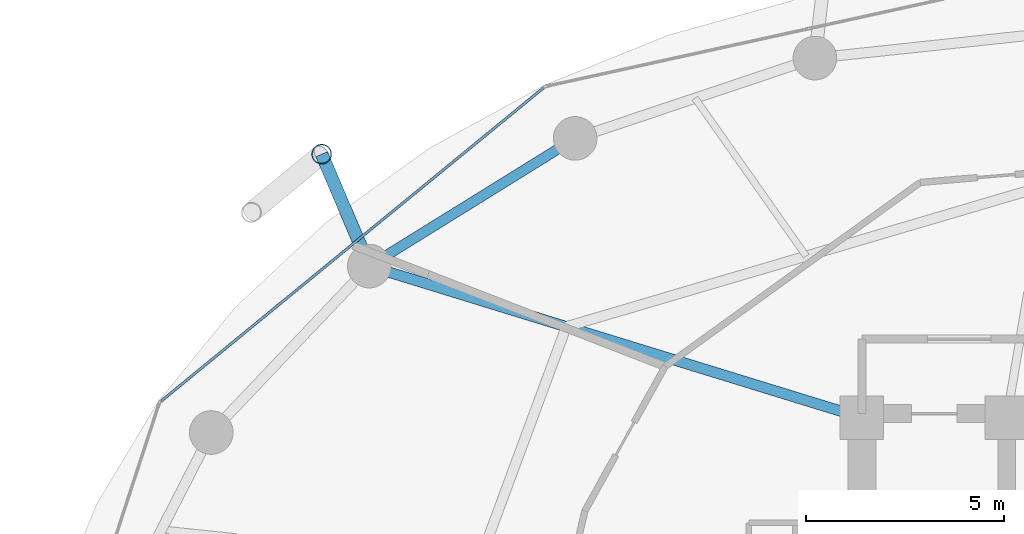
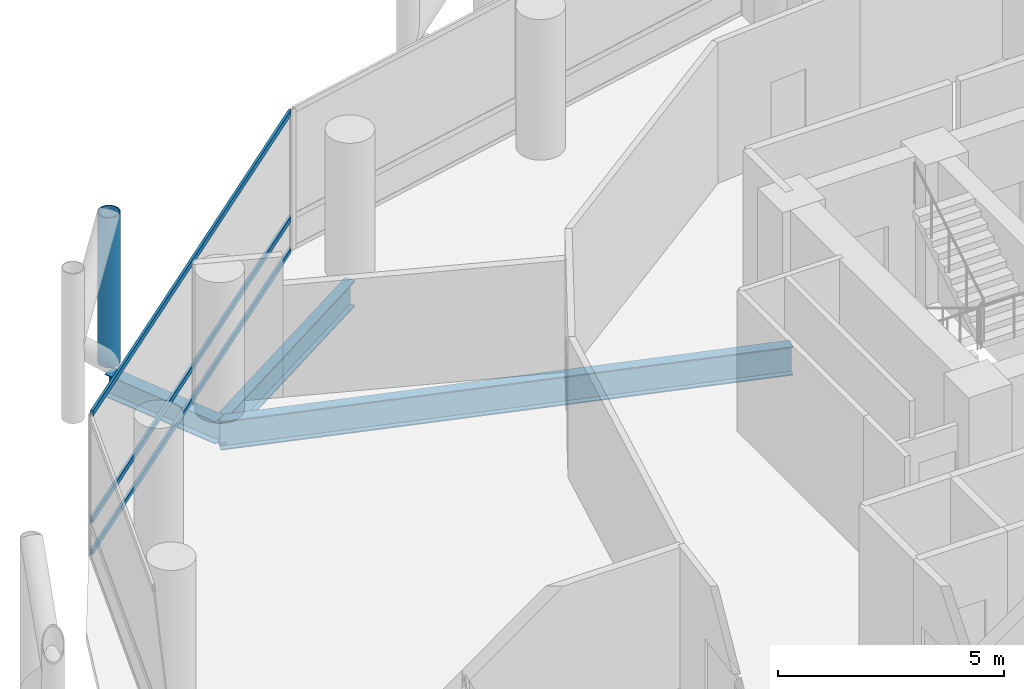
# One storey, part 14 of 24: 4 members, 3 beams, 1 element without a shape of its own.
"""IFC4 building model written with IfcOpenShell, lengths in metres."""

from ifc_helpers import new_model, si_unit, direction, frame, origin, origin_2d, place, context, subcontext, project, spatial, hollow_rectangle, hollow_circle, i_section, extrude, material, layer, layer_set, material_profile, profile_set, type_object, element, aggregate, save


model = new_model("IFC4")

# Units and contexts
model_context = context("Model", 3, precision=1e-05, world=origin(), true_north=direction((0.0, 1.0)))
body_context = subcontext(model_context, "Body", "Model", "MODEL_VIEW")
ifc_project = project(units=[si_unit("LENGTHUNIT", "METRE"), si_unit("AREAUNIT", "SQUARE_METRE"), si_unit("VOLUMEUNIT", "CUBIC_METRE"), si_unit("PLANEANGLEUNIT", "RADIAN"), si_unit("MASSUNIT", "GRAM", prefix="KILO")], contexts=[model_context])

# Site, building, storey
site_placement = place(None, origin())
site = spatial("IfcSite", under=ifc_project, at=site_placement, CompositionType="ELEMENT")
building_placement = place(site_placement, origin())
building = spatial("IfcBuilding", under=site, at=building_placement, Name="Nuhasar Tower", CompositionType="ELEMENT")
storey_placement = place(building_placement, frame((0.0, 0.0, 77.699951171875)))
storey = spatial("IfcBuildingStorey", under=building, at=storey_placement, Name="L18", CompositionType="ELEMENT", Elevation=77.699951171875)

# Beams
ifc_material_1 = material(Name="Steel S355", Category="steel")
ifc_material_profile_1 = material_profile(ifc_material_1, i_section(OverallWidth=0.26611328125, OverallDepth=0.779052734375, WebThickness=0.0166015625, FlangeThickness=0.030029296875, at=origin_2d()), Name="W30X148")
ifc_profile_set_1 = profile_set([ifc_material_profile_1], Name="Steel S355")
beam_type_1 = type_object("IfcBeamType", Name="BM-RAD-W30X148", PredefinedType="BEAM", material=ifc_profile_set_1)
beam_1_placement = place(storey_placement, frame((33.699951171875, 37.300048828125, -0.638916015625), z_axis=(-0.955789576103, 0.294051502653, 0.0), x_axis=(-0.294051502653, -0.955789576103, 0.0)))
element("IfcBeam", 1, at=beam_1_placement, inside=storey, type_object=beam_type_1, Name="L18 Radial Floor Girder 07", PredefinedType="BEAM", context=body_context, shape_type="SweptSolid", body=[
    extrude(i_section(OverallWidth=0.26611328125, OverallDepth=0.779052734375, WebThickness=0.0166015625, FlangeThickness=0.030029296875, at=origin_2d()), origin(), (0.0, 0.0, 1.0), 12.987060546875),
])
ifc_material_profile_2 = material_profile(ifc_material_1, i_section(OverallWidth=0.256103515625, OverallDepth=0.693115234375, WebThickness=0.014404296875, FlangeThickness=0.023681640625, at=origin_2d()), Name="W27X114")
ifc_profile_set_2 = profile_set([ifc_material_profile_2], Name="Steel S355")
beam_type_2 = type_object("IfcBeamType", Name="BM-RING-W27X114", PredefinedType="SPANDREL", material=ifc_profile_set_2)
beam_2_placement = place(storey_placement, frame((26.47509765625, 44.3369140625, -0.596923828125), z_axis=(-0.849795216549, -0.527112976439, 0.0), x_axis=(0.527112976439, -0.849795216549, 0.0)))
element("IfcBeam", 2, at=beam_2_placement, inside=storey, type_object=beam_type_2, Name="L18 Perimeter Ring Spandrel 09", PredefinedType="SPANDREL", context=body_context, shape_type="SweptSolid", body=[
    extrude(i_section(OverallWidth=0.256103515625, OverallDepth=0.693115234375, WebThickness=0.014404296875, FlangeThickness=0.023681640625, at=origin_2d()), origin(), (0.0, 0.0, 1.0), 6.10498046875),
])
ifc_material_profile_3 = material_profile(ifc_material_1, i_section(OverallWidth=0.323974609375, OverallDepth=0.611083984375, WebThickness=0.0126953125, FlangeThickness=0.01904296875, at=origin_2d()), Name="W24X104")
ifc_profile_set_3 = profile_set([ifc_material_profile_3], Name="Steel S355")
beam_type_3 = type_object("IfcBeamType", Name="BM-TIE-W24X104", PredefinedType="BEAM", material=ifc_profile_set_3)
beam_3_placement = place(storey_placement, frame((21.287109375, 41.118896484375, -0.554931640625), z_axis=(-0.391601084021, 0.920135093882, 0.0), x_axis=(-0.920135093882, -0.391601084021, 0.0)))
element("IfcBeam", 3, at=beam_3_placement, inside=storey, type_object=beam_type_3, Name="L18 Exoskeleton Node Tie Beam 05", PredefinedType="BEAM", context=body_context, shape_type="SweptSolid", body=[
    extrude(i_section(OverallWidth=0.323974609375, OverallDepth=0.611083984375, WebThickness=0.0126953125, FlangeThickness=0.01904296875, at=origin_2d()), origin(), (0.0, 0.0, 1.0), 3.06494140625),
])

# Curtain wall, members
ifc_material_2 = material(Name="Aluminium 6063-T6", Category="aluminium")
ifc_layer = layer(ifc_material_2, 0.199951171875)
ifc_layer_set = layer_set([ifc_layer], Name="Aluminium 6063-T6")
curtain_wall_type = type_object("IfcCurtainWallType", Name="CW-Z1-OFF", PredefinedType="NOTDEFINED", material=ifc_layer_set)
curtain_wall_placement = place(storey_placement, origin())
curtain_wall = element("IfcCurtainWall", 4, at=curtain_wall_placement, inside=storey, type_object=curtain_wall_type, Name="L18 Unitised Curtain Wall 05", PredefinedType="NOTDEFINED")
ifc_material_profile_4 = material_profile(ifc_material_2, hollow_rectangle(XDim=0.06494140625, YDim=0.14990234375, WallThickness=0.00439453125, at=origin_2d()), Name="CWT-2")
ifc_profile_set_4 = profile_set([ifc_material_profile_4], Name="Aluminium 6063-T6")
member_type_1 = type_object("IfcMemberType", Name="CW-TRN-S2", PredefinedType="USERDEFINED", material=ifc_profile_set_4)
member_1_placement = place(storey_placement, frame((25.669677734375, 45.603759765625, 0.032470703125), z_axis=(-0.773540851599, -0.633746440548, 0.0), x_axis=(0.633746440548, -0.773540851599, 0.0)))
member_1 = element("IfcMember", 5, at=member_1_placement, type_object=member_type_1, Name="CW-Z1 transom 1.1", ObjectType="TRANSOM", PredefinedType="USERDEFINED", context=body_context, shape_type="SweptSolid", body=[
    extrude(hollow_rectangle(XDim=0.06494140625, YDim=0.14990234375, WallThickness=0.00439453125, at=origin_2d()), origin(), (0.0, 0.0, 1.0), 12.43798828125),
])
member_2_placement = place(storey_placement, frame((25.669677734375, 45.603759765625, 0.900146484375), z_axis=(-0.773540851599, -0.633746440548, 0.0), x_axis=(0.633746440548, -0.773540851599, 0.0)))
member_2 = element("IfcMember", 6, at=member_2_placement, type_object=member_type_1, Name="CW-Z1 transom 1.2", ObjectType="TRANSOM", PredefinedType="USERDEFINED", context=body_context, shape_type="SweptSolid", body=[
    extrude(hollow_rectangle(XDim=0.06494140625, YDim=0.14990234375, WallThickness=0.00439453125, at=origin_2d()), origin(), (0.0, 0.0, 1.0), 12.43798828125),
])
member_3_placement = place(storey_placement, frame((25.669677734375, 45.603759765625, 3.767578125), z_axis=(-0.773540851599, -0.633746440548, 0.0), x_axis=(0.633746440548, -0.773540851599, 0.0)))
member_3 = element("IfcMember", 7, at=member_3_placement, type_object=member_type_1, Name="CW-Z1 transom 1.3", ObjectType="TRANSOM", PredefinedType="USERDEFINED", context=body_context, shape_type="SweptSolid", body=[
    extrude(hollow_rectangle(XDim=0.06494140625, YDim=0.14990234375, WallThickness=0.00439453125, at=origin_2d()), origin(), (0.0, 0.0, 1.0), 12.43798828125),
])
aggregate(curtain_wall, [member_1, member_2, member_3])

# Member
ifc_material_3 = material(Name="Steel S460", Category="steel")
ifc_material_profile_5 = material_profile(ifc_material_3, hollow_circle(Radius=0.25390625, WallThickness=0.025390625, at=origin_2d()), Name="HSS508X25.4")
ifc_profile_set_5 = profile_set([ifc_material_profile_5], Name="Steel S460")
member_type_2 = type_object("IfcMemberType", Name="EXO-BRONZE-508", PredefinedType="BRACE", material=ifc_profile_set_5)
member_4_placement = place(storey_placement, frame((20.0869140625, 43.93896484375, 0.0), z_axis=(0.0, 0.0, 1.0), x_axis=(1.0, 0.0, 0.0)))
element("IfcMember", 8, at=member_4_placement, inside=storey, type_object=member_type_2, Name="L18 Exoskeleton Chord Column EC-05A", PredefinedType="BRACE", context=body_context, shape_type="SweptSolid", body=[
    extrude(hollow_circle(Radius=0.25390625, WallThickness=0.025390625, at=origin_2d()), origin(), (0.0, 0.0, 1.0), 4.050048828125),
])

save(model, "model.ifc")
